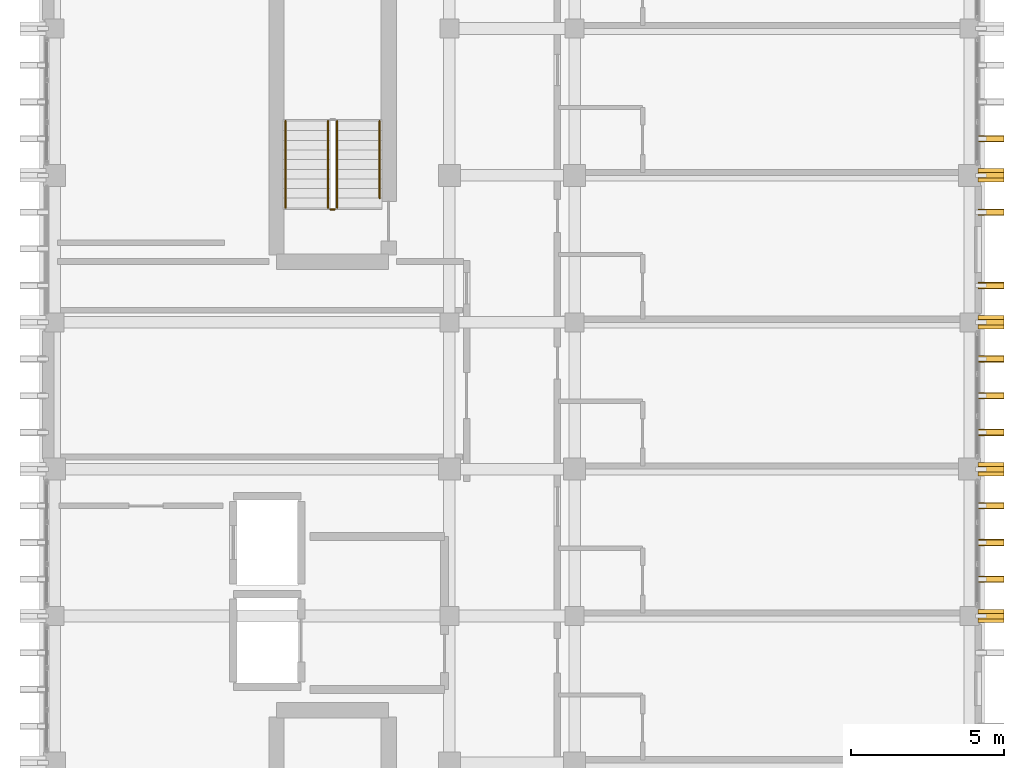
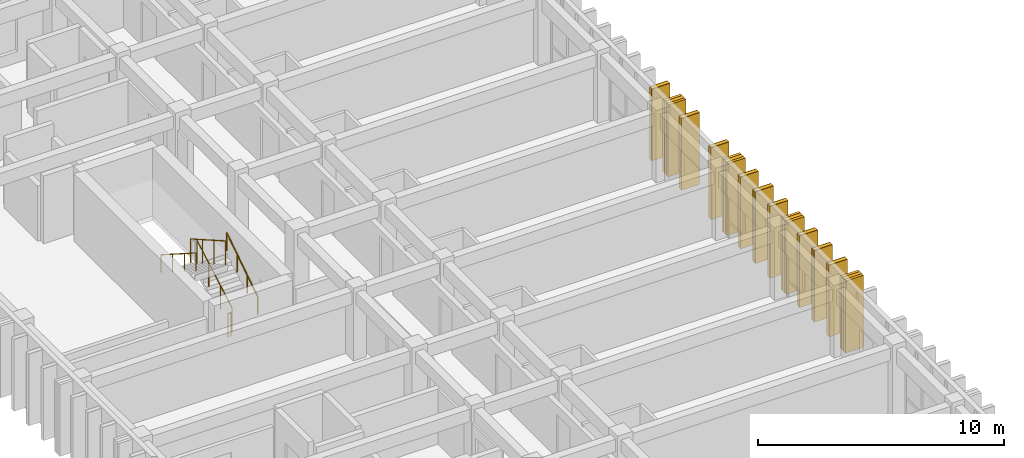
# One storey, part 57 of 59: 13 coverings, 13 shading devices, 5 railings.
"""IFC4 building model written with IfcOpenShell, lengths in metres."""

from ifc_helpers import new_model, si_unit, direction, frame, origin, origin_2d, place, context, subcontext, project, spatial, rectangle, circle, extrude, material, layer, layer_set, type_object, element, save


model = new_model("IFC4")

# Units and contexts
model_context = context("Model", 3, precision=1e-05, world=origin(), true_north=direction((0.0, 1.0)))
body_context = subcontext(model_context, "Body", "Model", "MODEL_VIEW")
ifc_project = project(units=[si_unit("LENGTHUNIT", "METRE"), si_unit("AREAUNIT", "SQUARE_METRE"), si_unit("VOLUMEUNIT", "CUBIC_METRE"), si_unit("PLANEANGLEUNIT", "RADIAN"), si_unit("MASSUNIT", "GRAM", prefix="KILO")], contexts=[model_context])

# Site, building, storey
site_placement = place(None, origin())
site = spatial("IfcSite", under=ifc_project, at=site_placement, CompositionType="ELEMENT")
building_placement = place(site_placement, origin())
building = spatial("IfcBuilding", under=site, at=building_placement, Name="Nakhvara Creek Congress Hotel", CompositionType="ELEMENT")
storey_placement = place(building_placement, frame((0.0, 0.0, 31.800048828125)))
storey = spatial("IfcBuildingStorey", under=building, at=storey_placement, Name="L07", CompositionType="ELEMENT", Elevation=31.800048828125)

# Coverings
ifc_material_1 = material(Name="Honed pale Omani limestone architectural cladding", Category="masonry")
ifc_layer = layer(ifc_material_1, 0.219970703125)
ifc_layer_set = layer_set([ifc_layer], Name="Honed pale Omani limestone architectural cladding")
covering_type = type_object("IfcCoveringType", Name="COV-FIN-850", PredefinedType="CLADDING", material=ifc_layer_set)
covering_1_placement = place(storey_placement, frame((180.054931640625, 91.199951171875, 0.0), z_axis=(0.0, 0.0, 1.0), x_axis=(0.0, 1.0, 0.0)))
element("IfcCovering", 1, at=covering_1_placement, inside=storey, type_object=covering_type, Name="Pale Limestone Fin Cladding CF01-1872", PredefinedType="CLADDING", context=body_context, shape_type="SweptSolid", body=[
    extrude(rectangle(XDim=0.43994140625, YDim=0.85009765625, at=origin_2d()), origin(), (0.0, 0.0, 1.0), 3.56005859375),
])
for number, where, z_axis, x_axis, name in (
    (2, (180.054931640625, 92.39990234375, 0.0), (0.0, 0.0, 1.0), (0.0, 1.0, 0.0), "Pale Limestone Fin Cladding CF01-1874"),
    (3, (180.054931640625, 93.60009765625, 0.0), (0.0, 0.0, 1.0), (0.0, 1.0, 0.0), "Pale Limestone Fin Cladding CF01-1876"),
    (4, (180.054931640625, 94.800048828125, 0.0), (0.0, 0.0, 1.0), (0.0, 1.0, 0.0), "Pale Limestone Fin Cladding CF01-1878"),
):
    element("IfcCovering", number, at=place(storey_placement, frame(where, z_axis=z_axis, x_axis=x_axis)), inside=storey, type_object=covering_type, Name=name, PredefinedType="CLADDING", context=body_context, shape_type="SweptSolid", body=[
        extrude(rectangle(XDim=0.219970703125, YDim=0.85009765625, at=origin_2d()), origin(), (0.0, 0.0, 1.0), 3.56005859375),
    ])
covering_2_placement = place(storey_placement, frame((180.054931640625, 96.0, 0.0), z_axis=(0.0, 0.0, 1.0), x_axis=(0.0, 1.0, 0.0)))
element("IfcCovering", 5, at=covering_2_placement, inside=storey, type_object=covering_type, Name="Pale Limestone Fin Cladding CF01-1880", PredefinedType="CLADDING", context=body_context, shape_type="SweptSolid", body=[
    extrude(rectangle(XDim=0.43994140625, YDim=0.85009765625, at=origin_2d()), origin(), (0.0, 0.0, 1.0), 3.56005859375),
])
for number, where, z_axis, x_axis, name in (
    (6, (180.054931640625, 97.199951171875, 0.0), (0.0, 0.0, 1.0), (0.0, 1.0, 0.0), "Pale Limestone Fin Cladding CF01-1882"),
    (7, (180.054931640625, 98.39990234375, 0.0), (0.0, 0.0, 1.0), (0.0, 1.0, 0.0), "Pale Limestone Fin Cladding CF01-1884"),
    (8, (180.054931640625, 99.60009765625, 0.0), (0.0, 0.0, 1.0), (0.0, 1.0, 0.0), "Pale Limestone Fin Cladding CF01-1886"),
):
    element("IfcCovering", number, at=place(storey_placement, frame(where, z_axis=z_axis, x_axis=x_axis)), inside=storey, type_object=covering_type, Name=name, PredefinedType="CLADDING", context=body_context, shape_type="SweptSolid", body=[
        extrude(rectangle(XDim=0.219970703125, YDim=0.85009765625, at=origin_2d()), origin(), (0.0, 0.0, 1.0), 3.56005859375),
    ])
covering_3_placement = place(storey_placement, frame((180.054931640625, 100.800048828125, 0.0), z_axis=(0.0, 0.0, 1.0), x_axis=(0.0, 1.0, 0.0)))
element("IfcCovering", 9, at=covering_3_placement, inside=storey, type_object=covering_type, Name="Pale Limestone Fin Cladding CF01-1888", PredefinedType="CLADDING", context=body_context, shape_type="SweptSolid", body=[
    extrude(rectangle(XDim=0.43994140625, YDim=0.85009765625, at=origin_2d()), origin(), (0.0, 0.0, 1.0), 3.56005859375),
])
for number, where, z_axis, x_axis, name in (
    (10, (180.054931640625, 102.0, 0.0), (0.0, 0.0, 1.0), (0.0, 1.0, 0.0), "Pale Limestone Fin Cladding CF01-1890"),
    (11, (180.054931640625, 104.39990234375, 0.0), (0.0, 0.0, 1.0), (0.0, 1.0, 0.0), "Pale Limestone Fin Cladding CF01-1893"),
):
    element("IfcCovering", number, at=place(storey_placement, frame(where, z_axis=z_axis, x_axis=x_axis)), inside=storey, type_object=covering_type, Name=name, PredefinedType="CLADDING", context=body_context, shape_type="SweptSolid", body=[
        extrude(rectangle(XDim=0.219970703125, YDim=0.85009765625, at=origin_2d()), origin(), (0.0, 0.0, 1.0), 3.56005859375),
    ])
covering_4_placement = place(storey_placement, frame((180.054931640625, 105.60009765625, 0.0), z_axis=(0.0, 0.0, 1.0), x_axis=(0.0, 1.0, 0.0)))
element("IfcCovering", 12, at=covering_4_placement, inside=storey, type_object=covering_type, Name="Pale Limestone Fin Cladding CF01-1895", PredefinedType="CLADDING", context=body_context, shape_type="SweptSolid", body=[
    extrude(rectangle(XDim=0.43994140625, YDim=0.85009765625, at=origin_2d()), origin(), (0.0, 0.0, 1.0), 3.56005859375),
])
covering_5_placement = place(storey_placement, frame((180.054931640625, 106.800048828125, 0.0), z_axis=(0.0, 0.0, 1.0), x_axis=(0.0, 1.0, 0.0)))
element("IfcCovering", 13, at=covering_5_placement, inside=storey, type_object=covering_type, Name="Pale Limestone Fin Cladding CF01-1897", PredefinedType="CLADDING", context=body_context, shape_type="SweptSolid", body=[
    extrude(rectangle(XDim=0.219970703125, YDim=0.85009765625, at=origin_2d()), origin(), (0.0, 0.0, 1.0), 3.56005859375),
])

# Railings
ifc_material_2 = material(Name="Brushed stainless steel 316L", Category="steel")
railing_type_1 = type_object("IfcRailingType", Name="RL-GUARD-1200", PredefinedType="GUARDRAIL", material=ifc_material_2)
railing_1_placement = place(storey_placement, frame((158.68505859375, 104.5400390625, 0.179931640625)))
element("IfcRailing", 14, at=railing_1_placement, inside=storey, type_object=railing_type_1, Name="L07 ST02 stair guard 1", PredefinedType="GUARDRAIL", context=body_context, shape_type="SweptSolid", body=[
    extrude(circle(Radius=0.02392578125, at=origin_2d()), frame((0.0, 0.0126953125, 1.18310546875), z_axis=(0.0, 0.868224736699, 0.496171146464), x_axis=(-1.0, 0.0, 0.0)), (0.0, 0.0, 1.0), 3.23583984375),
    extrude(circle(Radius=0.02099609375, at=origin_2d()), origin(), (0.0, 0.0, 1.0), 1.1806640625),
    extrude(circle(Radius=0.02099609375, at=origin_2d()), frame((0.0, 0.945068359375, 0.5400390625)), (0.0, 0.0, 1.0), 1.1806640625),
    extrude(circle(Radius=0.02099609375, at=origin_2d()), frame((0.0, 1.889892578125, 1.080078125)), (0.0, 0.0, 1.0), 1.1806640625),
    extrude(circle(Radius=0.02099609375, at=origin_2d()), frame((0.0, 2.8349609375, 1.6201171875)), (0.0, 0.0, 1.0), 1.1806640625),
])
railing_2_placement = place(storey_placement, frame((158.385009765625, 107.375, 1.97998046875)))
element("IfcRailing", 15, at=railing_2_placement, inside=storey, type_object=railing_type_1, Name="L07 ST02 stair guard 3", PredefinedType="GUARDRAIL", context=body_context, shape_type="SweptSolid", body=[
    extrude(circle(Radius=0.02392578125, at=origin_2d()), frame((0.0, -0.0126953125, 1.18310546875), z_axis=(0.0, -0.868256945921, 0.496114780932), x_axis=(1.0, 0.0, 0.0)), (0.0, 0.0, 1.0), 3.23583984375),
    extrude(circle(Radius=0.02099609375, at=origin_2d()), origin(), (0.0, 0.0, 1.0), 1.1806640625),
    extrude(circle(Radius=0.02099609375, at=origin_2d()), frame((0.0, -0.945068359375, 0.5400390625)), (0.0, 0.0, 1.0), 1.1806640625),
    extrude(circle(Radius=0.02099609375, at=origin_2d()), frame((0.0, -1.889892578125, 1.079833984375)), (0.0, 0.0, 1.0), 1.1806640625),
    extrude(circle(Radius=0.02099609375, at=origin_2d()), frame((0.0, -2.8349609375, 1.619873046875)), (0.0, 0.0, 1.0), 1.1806640625),
])
railing_3_placement = place(storey_placement, frame((158.610107421875, 104.489990234375, 0.0)))
element("IfcRailing", 16, at=railing_3_placement, inside=storey, type_object=railing_type_1, Name="L07 ST02 stair guard 4", PredefinedType="GUARDRAIL", context=body_context, shape_type="SweptSolid", body=[
    extrude(circle(Radius=0.02392578125, at=origin_2d()), frame((-0.0146484375, 0.0, 1.17578125), z_axis=(-1.0, 0.0, 0.0), x_axis=(0.0, -1.0, 0.0)), (0.0, 0.0, 1.0), 0.120849609375),
    extrude(circle(Radius=0.02099609375, at=origin_2d()), origin(), (0.0, 0.0, 1.0), 1.1806640625),
    extrude(circle(Radius=0.02099609375, at=origin_2d()), frame((-0.150146484375, 0.0, 0.0)), (0.0, 0.0, 1.0), 1.1806640625),
])
railing_type_2 = type_object("IfcRailingType", Name="RL-HAND-900", PredefinedType="HANDRAIL", material=ifc_material_2)
railing_4_placement = place(storey_placement, frame((160.074951171875, 104.85498046875, 0.35986328125)))
element("IfcRailing", 17, at=railing_4_placement, inside=storey, type_object=railing_type_2, Name="L07 ST02 stair handrail 1", PredefinedType="HANDRAIL", context=body_context, shape_type="SweptSolid", body=[
    extrude(circle(Radius=0.02392578125, at=origin_2d()), frame((0.0, 0.012451171875, 0.8837890625), z_axis=(0.0, 0.8394937775, 0.543369301248), x_axis=(-1.0, 0.0, 0.0)), (0.0, 0.0, 1.0), 2.972412109375),
    extrude(circle(Radius=0.02099609375, at=origin_2d()), origin(), (0.0, 0.0, 1.0), 0.880615234375),
    extrude(circle(Radius=0.02099609375, at=origin_2d()), frame((0.0, 0.840087890625, 0.543701171875)), (0.0, 0.0, 1.0), 0.880615234375),
    extrude(circle(Radius=0.02099609375, at=origin_2d()), frame((0.0, 1.679931640625, 1.08740234375)), (0.0, 0.0, 1.0), 0.880615234375),
    extrude(circle(Radius=0.02099609375, at=origin_2d()), frame((0.0, 2.52001953125, 1.631103515625)), (0.0, 0.0, 1.0), 0.880615234375),
])
railing_5_placement = place(storey_placement, frame((156.9951171875, 107.375, 1.97998046875)))
element("IfcRailing", 18, at=railing_5_placement, inside=storey, type_object=railing_type_2, Name="L07 ST02 stair handrail 2", PredefinedType="HANDRAIL", context=body_context, shape_type="SweptSolid", body=[
    extrude(circle(Radius=0.02392578125, at=origin_2d()), frame((0.0, -0.012451171875, 0.8837890625), z_axis=(0.0, -0.842721868308, 0.538349192138), x_axis=(1.0, 0.0, 0.0)), (0.0, 0.0, 1.0), 3.334716796875),
    extrude(circle(Radius=0.02099609375, at=origin_2d()), origin(), (0.0, 0.0, 1.0), 0.880615234375),
    extrude(circle(Radius=0.02099609375, at=origin_2d()), frame((0.0, -0.945068359375, 0.603759765625)), (0.0, 0.0, 1.0), 0.880615234375),
    extrude(circle(Radius=0.02099609375, at=origin_2d()), frame((0.0, -1.889892578125, 1.207275390625)), (0.0, 0.0, 1.0), 0.880615234375),
    extrude(circle(Radius=0.02099609375, at=origin_2d()), frame((0.0, -2.8349609375, 1.81103515625)), (0.0, 0.0, 1.0), 0.880615234375),
])

# Shading devices
ifc_material_3 = material(Name="Honed pale Omani limestone cladding on stainless steel spine", Category="masonry")
shading_device_type = type_object("IfcShadingDeviceType", Name="SHD-FIN-850X3600", PredefinedType="USERDEFINED", material=ifc_material_3)
for number, where, z_axis, x_axis, name in (
    (19, (180.054931640625, 91.199951171875, 0.0), (0.0, 0.0, 1.0), (0.0, 1.0, 0.0), "Limestone Solar Fin FN01-1737"),
    (20, (180.054931640625, 92.39990234375, 0.0), (0.0, 0.0, 1.0), (0.0, 1.0, 0.0), "Limestone Solar Fin FN01-1739"),
    (21, (180.054931640625, 93.60009765625, 0.0), (0.0, 0.0, 1.0), (0.0, 1.0, 0.0), "Limestone Solar Fin FN01-1741"),
    (22, (180.054931640625, 94.800048828125, 0.0), (0.0, 0.0, 1.0), (0.0, 1.0, 0.0), "Limestone Solar Fin FN01-1743"),
    (23, (180.054931640625, 96.0, 0.0), (0.0, 0.0, 1.0), (0.0, 1.0, 0.0), "Limestone Solar Fin FN01-1745"),
    (24, (180.054931640625, 97.199951171875, 0.0), (0.0, 0.0, 1.0), (0.0, 1.0, 0.0), "Limestone Solar Fin FN01-1747"),
    (25, (180.054931640625, 98.39990234375, 0.0), (0.0, 0.0, 1.0), (0.0, 1.0, 0.0), "Limestone Solar Fin FN01-1749"),
    (26, (180.054931640625, 99.60009765625, 0.0), (0.0, 0.0, 1.0), (0.0, 1.0, 0.0), "Limestone Solar Fin FN01-1751"),
    (27, (180.054931640625, 100.800048828125, 0.0), (0.0, 0.0, 1.0), (0.0, 1.0, 0.0), "Limestone Solar Fin FN01-1753"),
    (28, (180.054931640625, 102.0, 0.0), (0.0, 0.0, 1.0), (0.0, 1.0, 0.0), "Limestone Solar Fin FN01-1755"),
    (29, (180.054931640625, 104.39990234375, 0.0), (0.0, 0.0, 1.0), (0.0, 1.0, 0.0), "Limestone Solar Fin FN01-1758"),
    (30, (180.054931640625, 105.60009765625, 0.0), (0.0, 0.0, 1.0), (0.0, 1.0, 0.0), "Limestone Solar Fin FN01-1760"),
    (31, (180.054931640625, 106.800048828125, 0.0), (0.0, 0.0, 1.0), (0.0, 1.0, 0.0), "Limestone Solar Fin FN01-1762"),
):
    element("IfcShadingDevice", number, at=place(storey_placement, frame(where, z_axis=z_axis, x_axis=x_axis)), inside=storey, type_object=shading_device_type, Name=name, ObjectType="FIN", PredefinedType="USERDEFINED", context=body_context, shape_type="SweptSolid", body=[
        extrude(rectangle(XDim=0.179931640625, YDim=0.85009765625, at=origin_2d()), origin(), (0.0, 0.0, 1.0), 3.56005859375),
    ])

save(model, "model.ifc")
